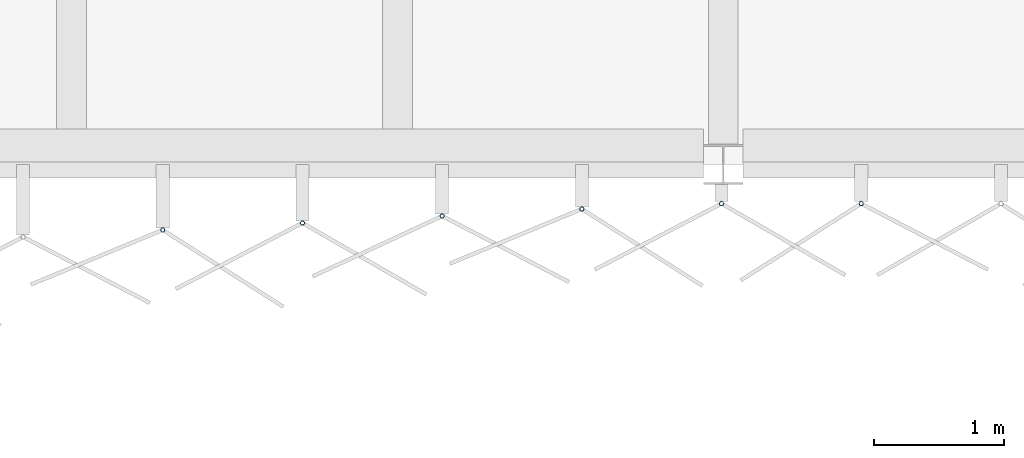
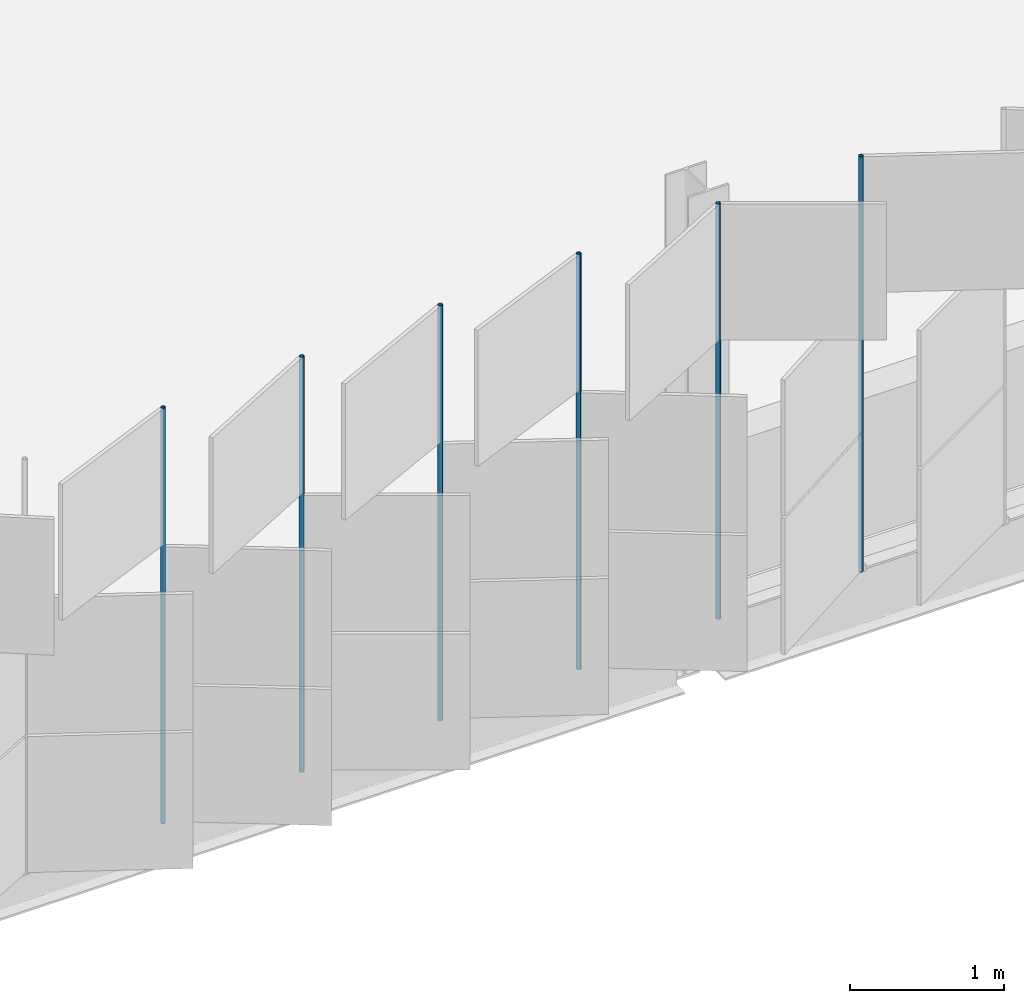
# One storey, part 69 of 198: 6 discrete accessories.
"""IFC4 building model written with IfcOpenShell, lengths in metres."""

from ifc_helpers import new_model, si_unit, direction, frame, origin, origin_2d, place, context, subcontext, project, spatial, hollow_circle, extrude, material, material_profile, profile_set, type_object, element, save


model = new_model("IFC4")

# Units and contexts
model_context = context("Model", 3, precision=1e-05, world=origin(), true_north=direction((0.0, 1.0)))
body_context = subcontext(model_context, "Body", "Model", "MODEL_VIEW")
ifc_project = project(units=[si_unit("LENGTHUNIT", "METRE"), si_unit("AREAUNIT", "SQUARE_METRE"), si_unit("VOLUMEUNIT", "CUBIC_METRE"), si_unit("PLANEANGLEUNIT", "RADIAN"), si_unit("MASSUNIT", "GRAM", prefix="KILO")], contexts=[model_context])

# Site, building, storey
site_placement = place(None, origin())
site = spatial("IfcSite", under=ifc_project, at=site_placement, CompositionType="ELEMENT")
building_placement = place(site_placement, origin())
building = spatial("IfcBuilding", under=site, at=building_placement, Name="Parallax Yard Mobility Hub", CompositionType="ELEMENT")
storey_placement = place(building_placement, frame((0.0, 0.0, 6.60009765625)))
storey = spatial("IfcBuildingStorey", under=building, at=storey_placement, Name="L02", CompositionType="ELEMENT", Elevation=6.60009765625)

# Discrete accessories
ifc_material = material(Name="Steel ASTM A500 Gr C, hot-dip galvanised", Category="steel")
ifc_material_profile = material_profile(ifc_material, hollow_circle(Radius=0.016845703125, WallThickness=0.003173828125, at=origin_2d()), Name="CHS 33.7x3.2")
ifc_profile_set = profile_set([ifc_material_profile], Name="Steel ASTM A500 Gr C, hot-dip galvanised")
discrete_accessory_type = type_object("IfcDiscreteAccessoryType", Name="Hinge post CHS 33.7x3.2", PredefinedType="BRACKET", material=ifc_profile_set)
for number, where, z_axis, x_axis, name in (
    (1, (40.7001953125, 111.998291015625, 0.0), (0.0, 0.0, 1.0), (1.0, 0.0, 0.0), "Hinge post bay 2.4 level L02"),
    (2, (41.771728515625, 112.0517578125, 0.0), (0.0, 0.0, 1.0), (1.0, 0.0, 0.0), "Hinge post bay 2.5 level L02"),
    (3, (42.84326171875, 112.10546875, 0.0), (0.0, 0.0, 1.0), (1.0, 0.0, 0.0), "Hinge post bay 2.6 level L02"),
    (4, (43.914794921875, 112.158935546875, 0.0), (0.0, 0.0, 1.0), (1.0, 0.0, 0.0), "Hinge post bay 2.7 level L02"),
    (5, (44.986328125, 112.199951171875, 0.0), (0.0, 0.0, 1.0), (1.0, 0.0, 0.0), "Hinge post bay 3.1 level L02"),
    (6, (46.057861328125, 112.199951171875, 0.0), (0.0, 0.0, 1.0), (1.0, 0.0, 0.0), "Hinge post bay 3.2 level L02"),
):
    element("IfcDiscreteAccessory", number, at=place(storey_placement, frame(where, z_axis=z_axis, x_axis=x_axis)), inside=storey, type_object=discrete_accessory_type, Name=name, PredefinedType="BRACKET", context=body_context, shape_type="SweptSolid", body=[
        extrude(hollow_circle(Radius=0.016845703125, WallThickness=0.003173828125, at=origin_2d()), origin(), (0.0, 0.0, 1.0), 3.2998046875),
    ])

save(model, "model.ifc")
